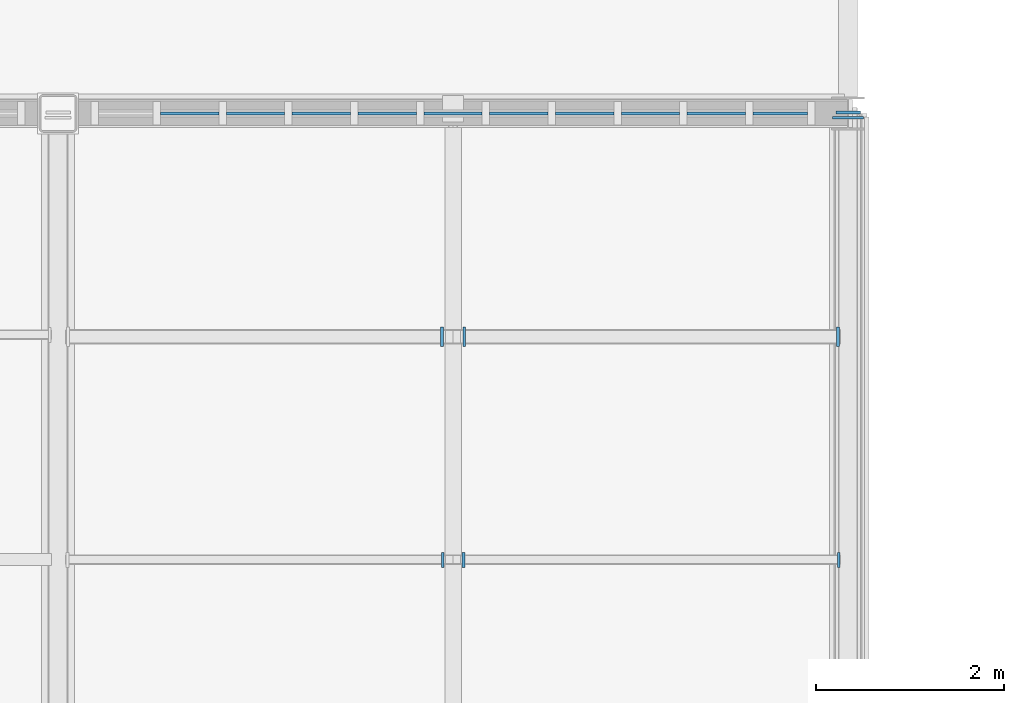
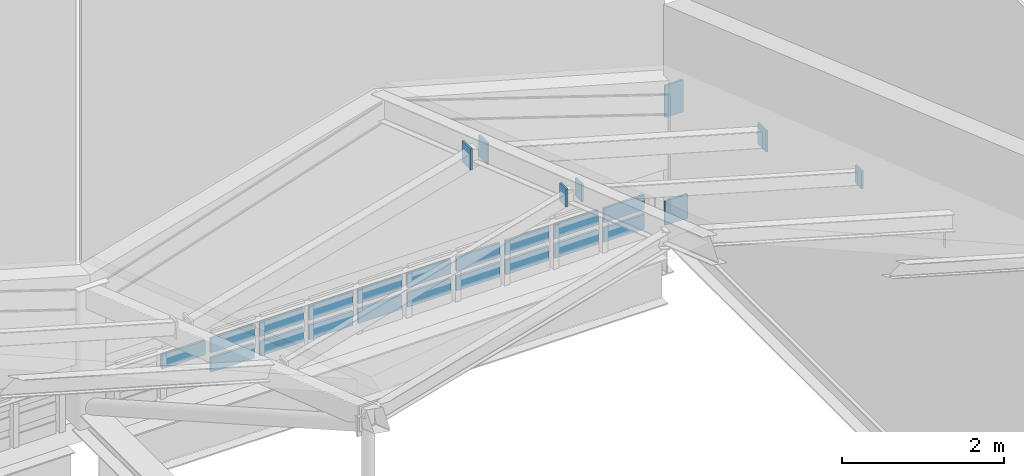
# One storey, part 68 of 77: 27 plates, 1 element without a shape of its own.
"""IFC4 building model written with IfcOpenShell, lengths in metres."""

from ifc_helpers import new_model, si_unit, direction, frame, origin, origin_2d, place, context, subcontext, project, spatial, rectangle, extrude, material, layer, layer_set, type_object, element, aggregate, save


model = new_model("IFC4")

# Units and contexts
model_context = context("Model", 3, precision=1e-05, world=origin(), true_north=direction((0.0, 1.0)))
body_context = subcontext(model_context, "Body", "Model", "MODEL_VIEW")
ifc_project = project(units=[si_unit("LENGTHUNIT", "METRE"), si_unit("AREAUNIT", "SQUARE_METRE"), si_unit("VOLUMEUNIT", "CUBIC_METRE"), si_unit("PLANEANGLEUNIT", "RADIAN"), si_unit("MASSUNIT", "GRAM", prefix="KILO")], contexts=[model_context])

# Site, building, storey
site_placement = place(None, origin())
site = spatial("IfcSite", under=ifc_project, at=site_placement, CompositionType="ELEMENT")
building_placement = place(site_placement, origin())
building = spatial("IfcBuilding", under=site, at=building_placement, Name="Larkvane Passage Sports Hall", CompositionType="ELEMENT")
storey_placement = place(building_placement, frame((0.0, 0.0, 22.199951171875)))
storey = spatial("IfcBuildingStorey", under=building, at=storey_placement, Name="RF", CompositionType="ELEMENT", Elevation=22.199951171875)

# Curtain wall, plates
ifc_material_1 = material(Name="Thermally broken aluminium and low-E glazing", Category="aluminium")
curtain_wall_type = type_object("IfcCurtainWallType", Name="CW-CLER-N", PredefinedType="USERDEFINED", material=ifc_material_1)
curtain_wall_placement = place(storey_placement, origin())
curtain_wall = element("IfcCurtainWall", 1, at=curtain_wall_placement, inside=storey, type_object=curtain_wall_type, Name="Curtain wall CW5-RF-CLER-7", ObjectType="STICK CURTAIN WALL", PredefinedType="USERDEFINED")
ifc_material_2 = material(Name="High-impact court low-E glazing", Category="glass")
ifc_layer_1 = layer(ifc_material_2, 0.035888671875)
ifc_layer_set_1 = layer_set([ifc_layer_1], Name="High-impact court low-E glazing")
plate_type_1 = type_object("IfcPlateType", Name="CWP-VIS-36", PredefinedType="CURTAIN_PANEL", material=ifc_layer_set_1)
plate_1_placement = place(storey_placement, frame((92.8798828125, 75.60009765625, 0.0751953125), z_axis=(0.0, 0.0, 1.0), x_axis=(-1.0, 0.0, 0.0)))
plate_1 = element("IfcPlate", 2, at=plate_1_placement, type_object=plate_type_1, Name="CW-04 panel 1.1", PredefinedType="CURTAIN_PANEL", context=body_context, shape_type="SweptSolid", body=[
    extrude(rectangle(XDim=0.580078125, YDim=0.035888671875, at=origin_2d()), origin(), (0.0, 0.0, 1.0), 0.217529296875),
])
plate_2_placement = place(storey_placement, frame((92.8798828125, 75.60009765625, 0.36767578125), z_axis=(0.0, 0.0, 1.0), x_axis=(-1.0, 0.0, 0.0)))
plate_2 = element("IfcPlate", 3, at=plate_2_placement, type_object=plate_type_1, Name="CW-04 panel 1.2", PredefinedType="CURTAIN_PANEL", context=body_context, shape_type="SweptSolid", body=[
    extrude(rectangle(XDim=0.580078125, YDim=0.035888671875, at=origin_2d()), origin(), (0.0, 0.0, 1.0), 0.217529296875),
])
plate_3_placement = place(storey_placement, frame((92.199951171875, 75.60009765625, 0.0751953125), z_axis=(0.0, 0.0, 1.0), x_axis=(-1.0, 0.0, 0.0)))
plate_3 = element("IfcPlate", 4, at=plate_3_placement, type_object=plate_type_1, Name="CW-04 panel 2.1", PredefinedType="CURTAIN_PANEL", context=body_context, shape_type="SweptSolid", body=[
    extrude(rectangle(XDim=0.6201171875, YDim=0.035888671875, at=origin_2d()), origin(), (0.0, 0.0, 1.0), 0.217529296875),
])
plate_4_placement = place(storey_placement, frame((92.199951171875, 75.60009765625, 0.36767578125), z_axis=(0.0, 0.0, 1.0), x_axis=(-1.0, 0.0, 0.0)))
plate_4 = element("IfcPlate", 5, at=plate_4_placement, type_object=plate_type_1, Name="CW-04 panel 2.2", PredefinedType="CURTAIN_PANEL", context=body_context, shape_type="SweptSolid", body=[
    extrude(rectangle(XDim=0.6201171875, YDim=0.035888671875, at=origin_2d()), origin(), (0.0, 0.0, 1.0), 0.217529296875),
])
plate_5_placement = place(storey_placement, frame((91.5, 75.60009765625, 0.0751953125), z_axis=(0.0, 0.0, 1.0), x_axis=(-1.0, 0.0, 0.0)))
plate_5 = element("IfcPlate", 6, at=plate_5_placement, type_object=plate_type_1, Name="CW-04 panel 3.1", PredefinedType="CURTAIN_PANEL", context=body_context, shape_type="SweptSolid", body=[
    extrude(rectangle(XDim=0.6201171875, YDim=0.035888671875, at=origin_2d()), origin(), (0.0, 0.0, 1.0), 0.217529296875),
])
plate_6_placement = place(storey_placement, frame((91.5, 75.60009765625, 0.36767578125), z_axis=(0.0, 0.0, 1.0), x_axis=(-1.0, 0.0, 0.0)))
plate_6 = element("IfcPlate", 7, at=plate_6_placement, type_object=plate_type_1, Name="CW-04 panel 3.2", PredefinedType="CURTAIN_PANEL", context=body_context, shape_type="SweptSolid", body=[
    extrude(rectangle(XDim=0.6201171875, YDim=0.035888671875, at=origin_2d()), origin(), (0.0, 0.0, 1.0), 0.217529296875),
])
plate_7_placement = place(storey_placement, frame((90.800048828125, 75.60009765625, 0.0751953125), z_axis=(0.0, 0.0, 1.0), x_axis=(-1.0, 0.0, 0.0)))
plate_7 = element("IfcPlate", 8, at=plate_7_placement, type_object=plate_type_1, Name="CW-04 panel 4.1", PredefinedType="CURTAIN_PANEL", context=body_context, shape_type="SweptSolid", body=[
    extrude(rectangle(XDim=0.6201171875, YDim=0.035888671875, at=origin_2d()), origin(), (0.0, 0.0, 1.0), 0.217529296875),
])
plate_8_placement = place(storey_placement, frame((90.800048828125, 75.60009765625, 0.36767578125), z_axis=(0.0, 0.0, 1.0), x_axis=(-1.0, 0.0, 0.0)))
plate_8 = element("IfcPlate", 9, at=plate_8_placement, type_object=plate_type_1, Name="CW-04 panel 4.2", PredefinedType="CURTAIN_PANEL", context=body_context, shape_type="SweptSolid", body=[
    extrude(rectangle(XDim=0.6201171875, YDim=0.035888671875, at=origin_2d()), origin(), (0.0, 0.0, 1.0), 0.217529296875),
])
plate_9_placement = place(storey_placement, frame((90.10009765625, 75.60009765625, 0.0751953125), z_axis=(0.0, 0.0, 1.0), x_axis=(-1.0, 0.0, 0.0)))
plate_9 = element("IfcPlate", 10, at=plate_9_placement, type_object=plate_type_1, Name="CW-04 panel 5.1", PredefinedType="CURTAIN_PANEL", context=body_context, shape_type="SweptSolid", body=[
    extrude(rectangle(XDim=0.6201171875, YDim=0.035888671875, at=origin_2d()), origin(), (0.0, 0.0, 1.0), 0.217529296875),
])
plate_10_placement = place(storey_placement, frame((90.10009765625, 75.60009765625, 0.36767578125), z_axis=(0.0, 0.0, 1.0), x_axis=(-1.0, 0.0, 0.0)))
plate_10 = element("IfcPlate", 11, at=plate_10_placement, type_object=plate_type_1, Name="CW-04 panel 5.2", PredefinedType="CURTAIN_PANEL", context=body_context, shape_type="SweptSolid", body=[
    extrude(rectangle(XDim=0.6201171875, YDim=0.035888671875, at=origin_2d()), origin(), (0.0, 0.0, 1.0), 0.217529296875),
])
plate_11_placement = place(storey_placement, frame((89.39990234375, 75.60009765625, 0.0751953125), z_axis=(0.0, 0.0, 1.0), x_axis=(-1.0, 0.0, 0.0)))
plate_11 = element("IfcPlate", 12, at=plate_11_placement, type_object=plate_type_1, Name="CW-04 panel 6.1", PredefinedType="CURTAIN_PANEL", context=body_context, shape_type="SweptSolid", body=[
    extrude(rectangle(XDim=0.6201171875, YDim=0.035888671875, at=origin_2d()), origin(), (0.0, 0.0, 1.0), 0.217529296875),
])
plate_12_placement = place(storey_placement, frame((89.39990234375, 75.60009765625, 0.36767578125), z_axis=(0.0, 0.0, 1.0), x_axis=(-1.0, 0.0, 0.0)))
plate_12 = element("IfcPlate", 13, at=plate_12_placement, type_object=plate_type_1, Name="CW-04 panel 6.2", PredefinedType="CURTAIN_PANEL", context=body_context, shape_type="SweptSolid", body=[
    extrude(rectangle(XDim=0.6201171875, YDim=0.035888671875, at=origin_2d()), origin(), (0.0, 0.0, 1.0), 0.217529296875),
])
plate_13_placement = place(storey_placement, frame((88.699951171875, 75.60009765625, 0.0751953125), z_axis=(0.0, 0.0, 1.0), x_axis=(-1.0, 0.0, 0.0)))
plate_13 = element("IfcPlate", 14, at=plate_13_placement, type_object=plate_type_1, Name="CW-04 panel 7.1", PredefinedType="CURTAIN_PANEL", context=body_context, shape_type="SweptSolid", body=[
    extrude(rectangle(XDim=0.6201171875, YDim=0.035888671875, at=origin_2d()), origin(), (0.0, 0.0, 1.0), 0.217529296875),
])
plate_14_placement = place(storey_placement, frame((88.699951171875, 75.60009765625, 0.36767578125), z_axis=(0.0, 0.0, 1.0), x_axis=(-1.0, 0.0, 0.0)))
plate_14 = element("IfcPlate", 15, at=plate_14_placement, type_object=plate_type_1, Name="CW-04 panel 7.2", PredefinedType="CURTAIN_PANEL", context=body_context, shape_type="SweptSolid", body=[
    extrude(rectangle(XDim=0.6201171875, YDim=0.035888671875, at=origin_2d()), origin(), (0.0, 0.0, 1.0), 0.217529296875),
])
plate_15_placement = place(storey_placement, frame((88.0, 75.60009765625, 0.0751953125), z_axis=(0.0, 0.0, 1.0), x_axis=(-1.0, 0.0, 0.0)))
plate_15 = element("IfcPlate", 16, at=plate_15_placement, type_object=plate_type_1, Name="CW-04 panel 8.1", PredefinedType="CURTAIN_PANEL", context=body_context, shape_type="SweptSolid", body=[
    extrude(rectangle(XDim=0.6201171875, YDim=0.035888671875, at=origin_2d()), origin(), (0.0, 0.0, 1.0), 0.217529296875),
])
plate_16_placement = place(storey_placement, frame((88.0, 75.60009765625, 0.36767578125), z_axis=(0.0, 0.0, 1.0), x_axis=(-1.0, 0.0, 0.0)))
plate_16 = element("IfcPlate", 17, at=plate_16_placement, type_object=plate_type_1, Name="CW-04 panel 8.2", PredefinedType="CURTAIN_PANEL", context=body_context, shape_type="SweptSolid", body=[
    extrude(rectangle(XDim=0.6201171875, YDim=0.035888671875, at=origin_2d()), origin(), (0.0, 0.0, 1.0), 0.217529296875),
])
plate_17_placement = place(storey_placement, frame((87.300048828125, 75.60009765625, 0.0751953125), z_axis=(0.0, 0.0, 1.0), x_axis=(-1.0, 0.0, 0.0)))
plate_17 = element("IfcPlate", 18, at=plate_17_placement, type_object=plate_type_1, Name="CW-04 panel 9.1", PredefinedType="CURTAIN_PANEL", context=body_context, shape_type="SweptSolid", body=[
    extrude(rectangle(XDim=0.6201171875, YDim=0.035888671875, at=origin_2d()), origin(), (0.0, 0.0, 1.0), 0.217529296875),
])
plate_18_placement = place(storey_placement, frame((87.300048828125, 75.60009765625, 0.36767578125), z_axis=(0.0, 0.0, 1.0), x_axis=(-1.0, 0.0, 0.0)))
plate_18 = element("IfcPlate", 19, at=plate_18_placement, type_object=plate_type_1, Name="CW-04 panel 9.2", PredefinedType="CURTAIN_PANEL", context=body_context, shape_type="SweptSolid", body=[
    extrude(rectangle(XDim=0.6201171875, YDim=0.035888671875, at=origin_2d()), origin(), (0.0, 0.0, 1.0), 0.217529296875),
])
plate_19_placement = place(storey_placement, frame((86.60009765625, 75.60009765625, 0.36767578125), z_axis=(0.0, 0.0, 1.0), x_axis=(-1.0, 0.0, 0.0)))
plate_19 = element("IfcPlate", 20, at=plate_19_placement, type_object=plate_type_1, Name="CW-04 panel 10.2", PredefinedType="CURTAIN_PANEL", context=body_context, shape_type="SweptSolid", body=[
    extrude(rectangle(XDim=0.6201171875, YDim=0.035888671875, at=origin_2d()), origin(), (0.0, 0.0, 1.0), 0.217529296875),
])
aggregate(curtain_wall, [plate_1, plate_2, plate_3, plate_4, plate_5, plate_6, plate_7, plate_8, plate_9, plate_10, plate_11, plate_12, plate_13, plate_14, plate_15, plate_16, plate_17, plate_18, plate_19])

# Plates
ifc_material_3 = material(Name="Steel S355JR", Category="steel")
ifc_layer_2 = layer(ifc_material_3, 0.011962890625)
ifc_layer_set_2 = layer_set([ifc_layer_2], Name="Steel S355JR")
plate_type_2 = type_object("IfcPlateType", Name="PLT-CAP-12", PredefinedType="SHEET", material=ifc_layer_set_2)
plate_20_placement = place(storey_placement, frame((93.60009765625, 75.55517578125, 0.05419921875), z_axis=(0.0, 0.0, 1.0), x_axis=(-1.0, 0.0, 0.0)))
element("IfcPlate", 21, at=plate_20_placement, inside=storey, type_object=plate_type_2, Name="Hollow section sealed end cap plate 0359", PredefinedType="SHEET", context=body_context, shape_type="SweptSolid", body=[
    extrude(rectangle(XDim=0.326904296875, YDim=0.028076171875, at=origin_2d()), origin(), (0.0, 0.0, 1.0), 0.365966796875),
])
plate_21_placement = place(storey_placement, frame((89.511474609375, 70.853271484375, 4.681884765625), z_axis=(0.0, 0.0, 1.0), x_axis=(0.0, 1.0, 0.0)))
element("IfcPlate", 22, at=plate_21_placement, inside=storey, type_object=plate_type_2, Name="Hollow section sealed end cap plate 0520", PredefinedType="SHEET", context=body_context, shape_type="SweptSolid", body=[
    extrude(rectangle(XDim=0.159912109375, YDim=0.028076171875, at=origin_2d()), origin(), (0.0, 0.0, 1.0), 0.26806640625),
])
plate_22_placement = place(storey_placement, frame((89.51806640625, 73.225341796875, 3.81689453125), z_axis=(0.0, 0.0, 1.0), x_axis=(0.0, 1.0, 0.0)))
element("IfcPlate", 23, at=plate_22_placement, inside=storey, type_object=plate_type_2, Name="Hollow section sealed end cap plate 0522", PredefinedType="SHEET", context=body_context, shape_type="SweptSolid", body=[
    extrude(rectangle(XDim=0.2099609375, YDim=0.028076171875, at=origin_2d()), origin(), (0.0, 0.0, 1.0), 0.320068359375),
])
for number, where, z_axis, x_axis, name in (
    (24, (89.28857421875, 70.853271484375, 4.681884765625), (0.0, 0.0, 1.0), (0.0, 1.0, 0.0), "Hollow section sealed end cap plate 0525"),
    (25, (93.5, 70.853271484375, 3.478515625), (0.0, 0.0, 1.0), (0.0, 1.0, 0.0), "Hollow section sealed end cap plate 0526"),
):
    element("IfcPlate", number, at=place(storey_placement, frame(where, z_axis=z_axis, x_axis=x_axis)), inside=storey, type_object=plate_type_2, Name=name, PredefinedType="SHEET", context=body_context, shape_type="SweptSolid", body=[
        extrude(rectangle(XDim=0.159912109375, YDim=0.028076171875, at=origin_2d()), origin(), (0.0, 0.0, 1.0), 0.26806640625),
    ])
for number, where, z_axis, x_axis, name in (
    (26, (89.281982421875, 73.225341796875, 3.81689453125), (0.0, 0.0, 1.0), (0.0, 1.0, 0.0), "Hollow section sealed end cap plate 0527"),
    (27, (93.49365234375, 73.225341796875, 2.61376953125), (0.0, 0.0, 1.0), (0.0, 1.0, 0.0), "Hollow section sealed end cap plate 0528"),
):
    element("IfcPlate", number, at=place(storey_placement, frame(where, z_axis=z_axis, x_axis=x_axis)), inside=storey, type_object=plate_type_2, Name=name, PredefinedType="SHEET", context=body_context, shape_type="SweptSolid", body=[
        extrude(rectangle(XDim=0.2099609375, YDim=0.028076171875, at=origin_2d()), origin(), (0.0, 0.0, 1.0), 0.320068359375),
    ])
ifc_material_4 = material(Name="Steel S460N", Category="steel")
ifc_layer_3 = layer(ifc_material_4, 0.02001953125)
ifc_layer_set_3 = layer_set([ifc_layer_3], Name="Steel S460N")
plate_type_3 = type_object("IfcPlateType", Name="PLT-CAP-20", PredefinedType="SHEET", material=ifc_layer_set_3)
plate_23_placement = place(storey_placement, frame((93.60009765625, 75.609619140625, 1.635498046875), z_axis=(0.0, 0.0, 1.0), x_axis=(-1.0, 0.0, 0.0)))
element("IfcPlate", 28, at=plate_23_placement, inside=storey, type_object=plate_type_3, Name="Hollow section sealed end cap plate 0357", PredefinedType="SHEET", context=body_context, shape_type="SweptSolid", body=[
    extrude(rectangle(XDim=0.260009765625, YDim=0.028076171875, at=origin_2d()), origin(), (0.0, 0.0, 1.0), 0.48291015625),
])

save(model, "model.ifc")
